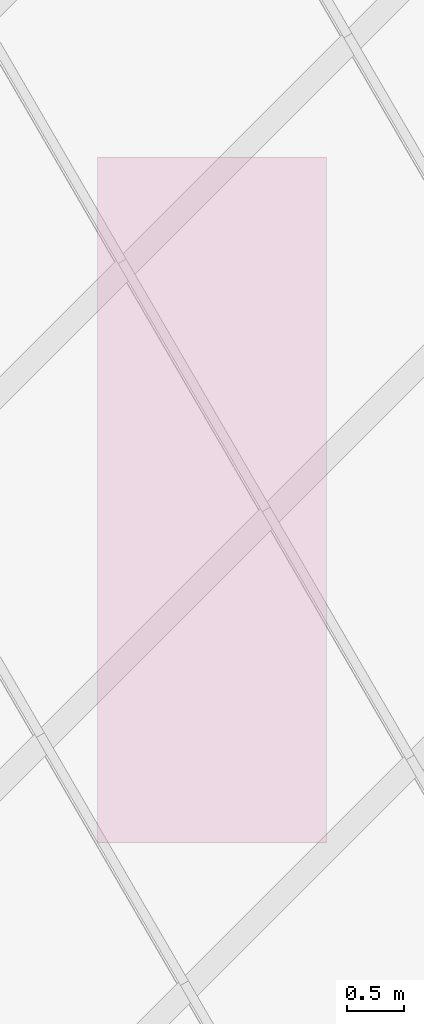
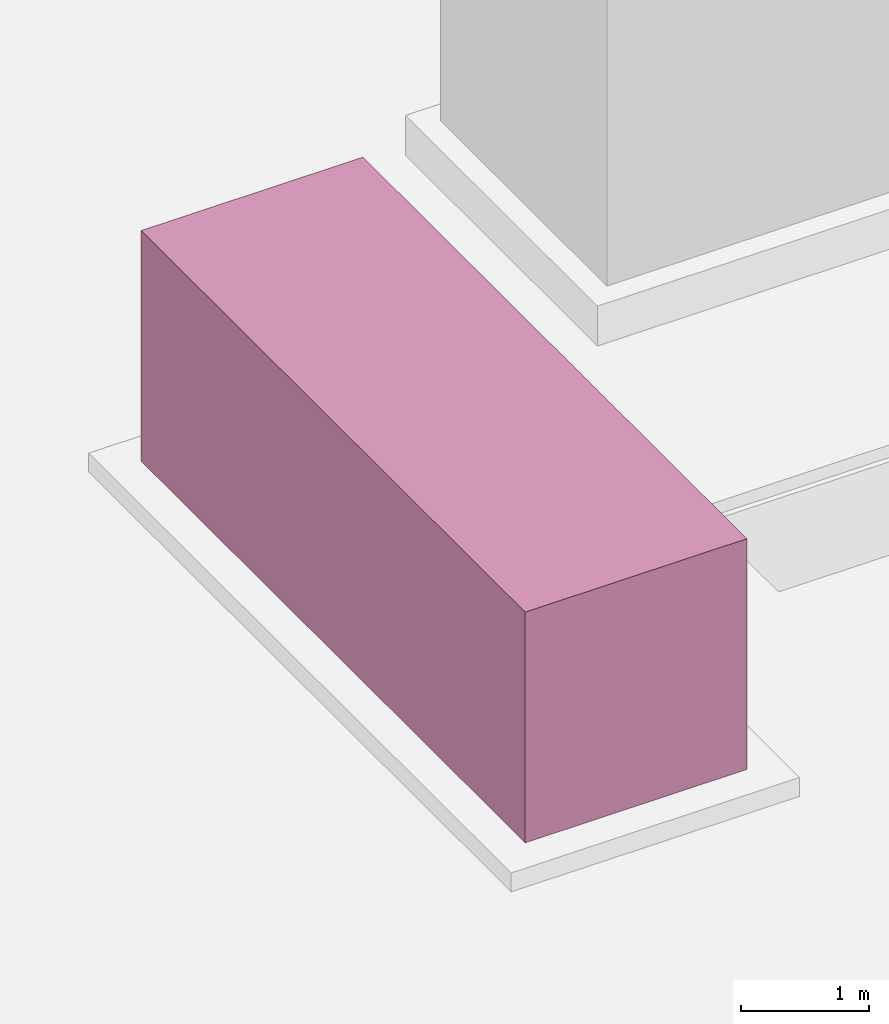
# One storey, part 29 of 29: 1 transport element.
"""IFC4 building model written with IfcOpenShell, lengths in metres."""

from ifc_helpers import new_model, si_unit, direction, frame, origin, origin_2d, place, context, subcontext, project, spatial, rectangle, extrude, material, type_object, element, save


model = new_model("IFC4")

# Units and contexts
model_context = context("Model", 3, precision=1e-05, world=origin(), true_north=direction((0.0, 1.0)))
body_context = subcontext(model_context, "Body", "Model", "MODEL_VIEW")
ifc_project = project(units=[si_unit("LENGTHUNIT", "METRE"), si_unit("AREAUNIT", "SQUARE_METRE"), si_unit("VOLUMEUNIT", "CUBIC_METRE"), si_unit("PLANEANGLEUNIT", "RADIAN"), si_unit("MASSUNIT", "GRAM", prefix="KILO")], contexts=[model_context])

# Site, building, storey
site_placement = place(None, origin())
site = spatial("IfcSite", under=ifc_project, at=site_placement, CompositionType="ELEMENT")
building_placement = place(site_placement, origin())
building = spatial("IfcBuilding", under=site, at=building_placement, Name="Tanit Gate Tower", CompositionType="ELEMENT")
storey_placement = place(building_placement, frame((0.0, 0.0, 445.300048828125)))
storey = spatial("IfcBuildingStorey", under=building, at=storey_placement, Name="ROOF", CompositionType="ELEMENT", Elevation=445.300048828125)

# Transport element
ifc_material = material(Name="Steel S355 galvanised", Category="steel")
transport_element_type = type_object("IfcTransportElementType", Name="Facade access cradle 2000", PredefinedType="CRANEWAY", material=ifc_material)
transport_element_placement = place(storey_placement, frame((-7.5, 0.0, 0.2998046875), z_axis=(0.0, 0.0, 1.0), x_axis=(1.0, 0.0, 0.0)))
element("IfcTransportElement", 1, at=transport_element_placement, inside=storey, type_object=transport_element_type, Name="Facade access cradle", PredefinedType="CRANEWAY", context=body_context, shape_type="SweptSolid", body=[
    extrude(rectangle(XDim=2.0, YDim=6.0, at=origin_2d()), origin(), (0.0, 0.0, 1.0), 2.199951171875),
])

save(model, "model.ifc")
